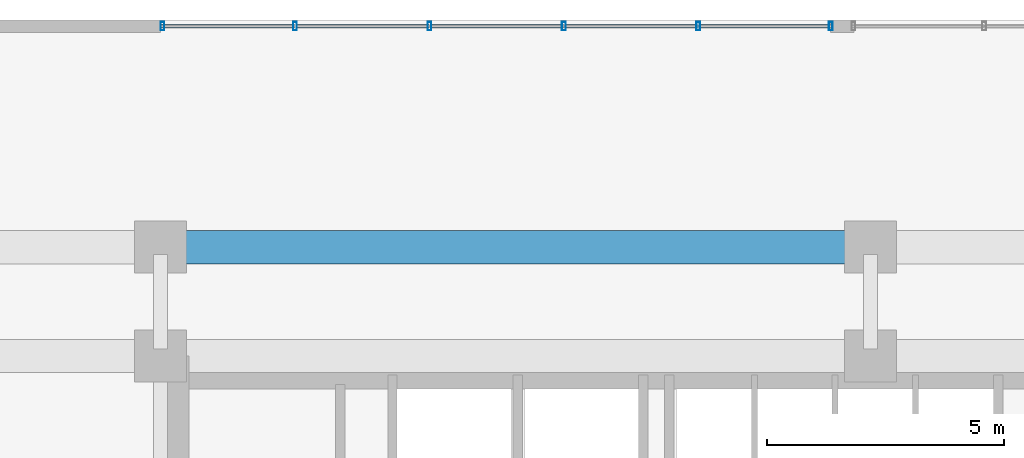
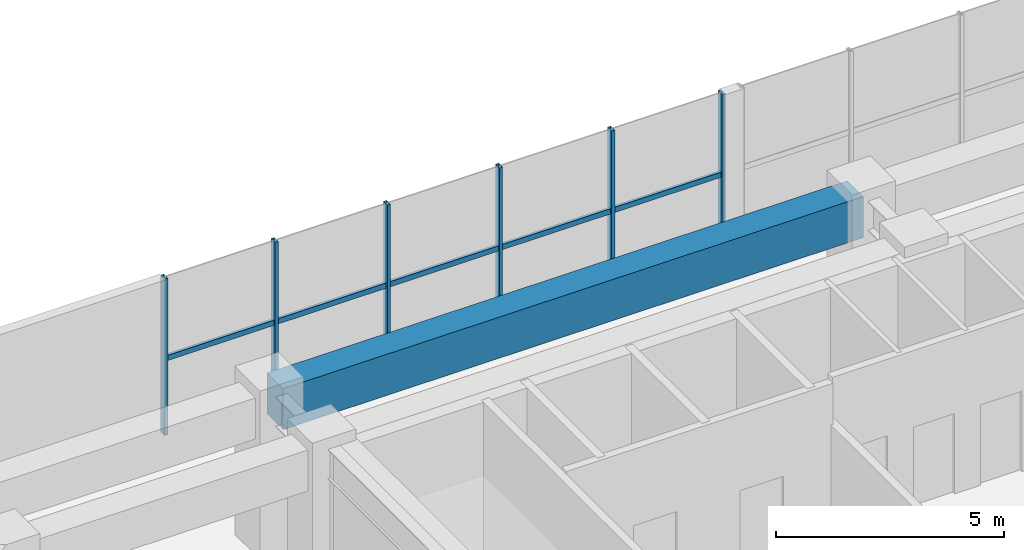
# One storey, part 8 of 24: 11 members, 1 beam, 1 element without a shape of its own.
"""IFC4 building model written with IfcOpenShell, lengths in metres."""

from ifc_helpers import new_model, si_unit, direction, frame, origin, origin_2d, place, context, subcontext, project, spatial, rectangle, hollow_rectangle, extrude, source, transform, mapped, material, material_profile, profile_set, type_object, element, aggregate, save


model = new_model("IFC4")

# Units and contexts
model_context = context("Model", 3, precision=1e-05, world=origin(), true_north=direction((0.0, 1.0)))
body_context = subcontext(model_context, "Body", "Model", "MODEL_VIEW")
ifc_project = project(units=[si_unit("LENGTHUNIT", "METRE"), si_unit("AREAUNIT", "SQUARE_METRE"), si_unit("VOLUMEUNIT", "CUBIC_METRE"), si_unit("PLANEANGLEUNIT", "RADIAN"), si_unit("MASSUNIT", "GRAM", prefix="KILO")], contexts=[model_context])

# Site, building, storey
site_placement = place(None, origin())
site = spatial("IfcSite", under=ifc_project, at=site_placement, CompositionType="ELEMENT")
building_placement = place(site_placement, origin())
building = spatial("IfcBuilding", under=site, at=building_placement, Name="Trelvane Seafront Commons", CompositionType="ELEMENT")
storey_placement = place(building_placement, frame((0.0, 0.0, 9.699951171875)))
storey = spatial("IfcBuildingStorey", under=building, at=storey_placement, Name="L02", CompositionType="ELEMENT", Elevation=9.699951171875)

# Beam
ifc_material_1 = material(Name="Concrete C50/60", Category="concrete")
ifc_material_profile_1 = material_profile(ifc_material_1, rectangle(XDim=0.699951171875, YDim=1.10009765625, at=origin_2d()), Name="RC-700x1100")
ifc_profile_set_1 = profile_set([ifc_material_profile_1], Name="Concrete C50/60")
beam_type = type_object("IfcBeamType", Name="STR-TBM-RC700x1100", PredefinedType="T_BEAM", material=ifc_profile_set_1)
shared_shape_1 = source(origin(), body_context, "Body", "SweptSolid", [
    extrude(rectangle(XDim=0.699951171875, YDim=1.10009765625, at=origin_2d()), origin(), (0.0, 0.0, 1.0), 14.699951171875),
])
beam_placement = place(storey_placement, frame((15.75, 47.39990234375, 3.650146484375), z_axis=(1.0, 0.0, 0.0), x_axis=(0.0, 1.0, 0.0)))
element("IfcBeam", 1, at=beam_placement, inside=storey, type_object=beam_type, Name="L02 Primary Girder G-27", PredefinedType="T_BEAM", context=body_context, shape_type="MappedRepresentation", body=[
    mapped(shared_shape_1, transform((0.0, 0.0, 0.0), x_axis=(1.0, 0.0, 0.0), y_axis=(0.0, 1.0, 0.0), z_axis=(0.0, 0.0, 1.0), scale=1.0)),
])

# Curtain wall, members
ifc_material_2 = material(Name="Anodised pale-silver aluminium", Category="aluminium")
curtain_wall_type = type_object("IfcCurtainWallType", Name="ARCH-CW1-PODIUM", PredefinedType="NOTDEFINED", material=ifc_material_2)
curtain_wall_placement = place(storey_placement, origin())
curtain_wall = element("IfcCurtainWall", 2, at=curtain_wall_placement, inside=storey, type_object=curtain_wall_type, Name="CW-L02-0013", PredefinedType="NOTDEFINED")
ifc_material_profile_2 = material_profile(ifc_material_2, hollow_rectangle(XDim=0.080078125, YDim=0.179931640625, WallThickness=0.00439453125, at=origin_2d()), Name="MULL-80x180x4.5")
ifc_profile_set_2 = profile_set([ifc_material_profile_2], Name="Anodised pale-silver aluminium")
member_type_1 = type_object("IfcMemberType", Name="ARCH-CW-MULL-180", PredefinedType="MULLION", material=ifc_profile_set_2)
shared_shape_2 = source(origin(), body_context, "Body", "SweptSolid", [
    extrude(hollow_rectangle(XDim=0.080078125, YDim=0.179931640625, WallThickness=0.00439453125, at=origin_2d()), origin(), (0.0, 0.0, 1.0), 4.199951171875),
])
member_1_placement = place(storey_placement, frame((15.639892578125, 52.070068359375, 0.0), z_axis=(0.0, 0.0, 1.0), x_axis=(1.0, 0.0, 0.0)))
member_1 = element("IfcMember", 3, at=member_1_placement, type_object=member_type_1, Name="CW-L02-0013-M00", PredefinedType="MULLION", context=body_context, shape_type="MappedRepresentation", body=[
    mapped(shared_shape_2, transform((0.0, 0.0, 0.0), x_axis=(1.0, 0.0, 0.0), y_axis=(0.0, 1.0, 0.0), z_axis=(0.0, 0.0, 1.0), scale=1.0)),
])
member_2_placement = place(storey_placement, frame((18.43994140625, 52.070068359375, 0.0), z_axis=(0.0, 0.0, 1.0), x_axis=(1.0, 0.0, 0.0)))
member_2 = element("IfcMember", 4, at=member_2_placement, type_object=member_type_1, Name="CW-L02-0013-M01", PredefinedType="MULLION", context=body_context, shape_type="MappedRepresentation", body=[
    mapped(shared_shape_2, transform((0.0, 0.0, 0.0), x_axis=(1.0, 0.0, 0.0), y_axis=(0.0, 1.0, 0.0), z_axis=(0.0, 0.0, 1.0), scale=1.0)),
])
member_3_placement = place(storey_placement, frame((21.280029296875, 52.070068359375, 0.0), z_axis=(0.0, 0.0, 1.0), x_axis=(1.0, 0.0, 0.0)))
member_3 = element("IfcMember", 5, at=member_3_placement, type_object=member_type_1, Name="CW-L02-0013-M02", PredefinedType="MULLION", context=body_context, shape_type="MappedRepresentation", body=[
    mapped(shared_shape_2, transform((0.0, 0.0, 0.0), x_axis=(1.0, 0.0, 0.0), y_axis=(0.0, 1.0, 0.0), z_axis=(0.0, 0.0, 1.0), scale=1.0)),
])
member_4_placement = place(storey_placement, frame((24.1201171875, 52.070068359375, 0.0), z_axis=(0.0, 0.0, 1.0), x_axis=(1.0, 0.0, 0.0)))
member_4 = element("IfcMember", 6, at=member_4_placement, type_object=member_type_1, Name="CW-L02-0013-M03", PredefinedType="MULLION", context=body_context, shape_type="MappedRepresentation", body=[
    mapped(shared_shape_2, transform((0.0, 0.0, 0.0), x_axis=(1.0, 0.0, 0.0), y_axis=(0.0, 1.0, 0.0), z_axis=(0.0, 0.0, 1.0), scale=1.0)),
])
member_5_placement = place(storey_placement, frame((26.9599609375, 52.070068359375, 0.0), z_axis=(0.0, 0.0, 1.0), x_axis=(1.0, 0.0, 0.0)))
member_5 = element("IfcMember", 7, at=member_5_placement, type_object=member_type_1, Name="CW-L02-0013-M04", PredefinedType="MULLION", context=body_context, shape_type="MappedRepresentation", body=[
    mapped(shared_shape_2, transform((0.0, 0.0, 0.0), x_axis=(1.0, 0.0, 0.0), y_axis=(0.0, 1.0, 0.0), z_axis=(0.0, 0.0, 1.0), scale=1.0)),
])
member_6_placement = place(storey_placement, frame((29.760009765625, 52.070068359375, 0.0), z_axis=(0.0, 0.0, 1.0), x_axis=(1.0, 0.0, 0.0)))
member_6 = element("IfcMember", 8, at=member_6_placement, type_object=member_type_1, Name="CW-L02-0013-M05", PredefinedType="MULLION", context=body_context, shape_type="MappedRepresentation", body=[
    mapped(shared_shape_2, transform((0.0, 0.0, 0.0), x_axis=(1.0, 0.0, 0.0), y_axis=(0.0, 1.0, 0.0), z_axis=(0.0, 0.0, 1.0), scale=1.0)),
])
ifc_material_profile_3 = material_profile(ifc_material_2, hollow_rectangle(XDim=0.074951171875, YDim=0.139892578125, WallThickness=0.00390625, at=origin_2d()), Name="TRAN-75x140x4")
ifc_profile_set_3 = profile_set([ifc_material_profile_3], Name="Anodised pale-silver aluminium")
member_type_2 = type_object("IfcMemberType", Name="ARCH-CW-TRAN-140", PredefinedType="USERDEFINED", material=ifc_profile_set_3)
shared_shape_3 = source(origin(), body_context, "Body", "SweptSolid", [
    extrude(hollow_rectangle(XDim=0.074951171875, YDim=0.139892578125, WallThickness=0.00390625, at=origin_2d()), origin(), (0.0, 0.0, 1.0), 2.81591796875),
])
member_7_placement = place(storey_placement, frame((15.612060546875, 52.070068359375, 2.01611328125), z_axis=(1.0, 0.0, 0.0), x_axis=(0.0, 1.0, 0.0)))
member_7 = element("IfcMember", 9, at=member_7_placement, type_object=member_type_2, Name="CW-L02-0013-T00", ObjectType="TRANSOM", PredefinedType="USERDEFINED", context=body_context, shape_type="MappedRepresentation", body=[
    mapped(shared_shape_3, transform((0.0, 0.0, 0.0), x_axis=(1.0, 0.0, 0.0), y_axis=(0.0, 1.0, 0.0), z_axis=(0.0, 0.0, 1.0), scale=1.0)),
])
member_8_placement = place(storey_placement, frame((21.2919921875, 52.070068359375, 2.01611328125), z_axis=(1.0, 0.0, 0.0), x_axis=(0.0, 1.0, 0.0)))
member_8 = element("IfcMember", 10, at=member_8_placement, type_object=member_type_2, Name="CW-L02-0013-T02", ObjectType="TRANSOM", PredefinedType="USERDEFINED", context=body_context, shape_type="MappedRepresentation", body=[
    mapped(shared_shape_3, transform((0.0, 0.0, 0.0), x_axis=(1.0, 0.0, 0.0), y_axis=(0.0, 1.0, 0.0), z_axis=(0.0, 0.0, 1.0), scale=1.0)),
])
member_9_placement = place(storey_placement, frame((24.132080078125, 52.070068359375, 2.01611328125), z_axis=(1.0, 0.0, 0.0), x_axis=(0.0, 1.0, 0.0)))
member_9 = element("IfcMember", 11, at=member_9_placement, type_object=member_type_2, Name="CW-L02-0013-T03", ObjectType="TRANSOM", PredefinedType="USERDEFINED", context=body_context, shape_type="MappedRepresentation", body=[
    mapped(shared_shape_3, transform((0.0, 0.0, 0.0), x_axis=(1.0, 0.0, 0.0), y_axis=(0.0, 1.0, 0.0), z_axis=(0.0, 0.0, 1.0), scale=1.0)),
])
shared_shape_4 = source(origin(), body_context, "Body", "SweptSolid", [
    extrude(hollow_rectangle(XDim=0.074951171875, YDim=0.139892578125, WallThickness=0.00390625, at=origin_2d()), origin(), (0.0, 0.0, 1.0), 2.816162109375),
])
member_10_placement = place(storey_placement, frame((18.451904296875, 52.070068359375, 2.01611328125), z_axis=(1.0, 0.0, 0.0), x_axis=(0.0, 1.0, 0.0)))
member_10 = element("IfcMember", 12, at=member_10_placement, type_object=member_type_2, Name="CW-L02-0013-T01", ObjectType="TRANSOM", PredefinedType="USERDEFINED", context=body_context, shape_type="MappedRepresentation", body=[
    mapped(shared_shape_4, transform((0.0, 0.0, 0.0), x_axis=(1.0, 0.0, 0.0), y_axis=(0.0, 1.0, 0.0), z_axis=(0.0, 0.0, 1.0), scale=1.0)),
])
member_11_placement = place(storey_placement, frame((26.971923828125, 52.070068359375, 2.01611328125), z_axis=(1.0, 0.0, 0.0), x_axis=(0.0, 1.0, 0.0)))
member_11 = element("IfcMember", 13, at=member_11_placement, type_object=member_type_2, Name="CW-L02-0013-T04", ObjectType="TRANSOM", PredefinedType="USERDEFINED", context=body_context, shape_type="MappedRepresentation", body=[
    mapped(shared_shape_4, transform((0.0, 0.0, 0.0), x_axis=(1.0, 0.0, 0.0), y_axis=(0.0, 1.0, 0.0), z_axis=(0.0, 0.0, 1.0), scale=1.0)),
])
aggregate(curtain_wall, [member_1, member_2, member_3, member_4, member_5, member_6, member_7, member_10, member_8, member_9, member_11])

save(model, "model.ifc")
